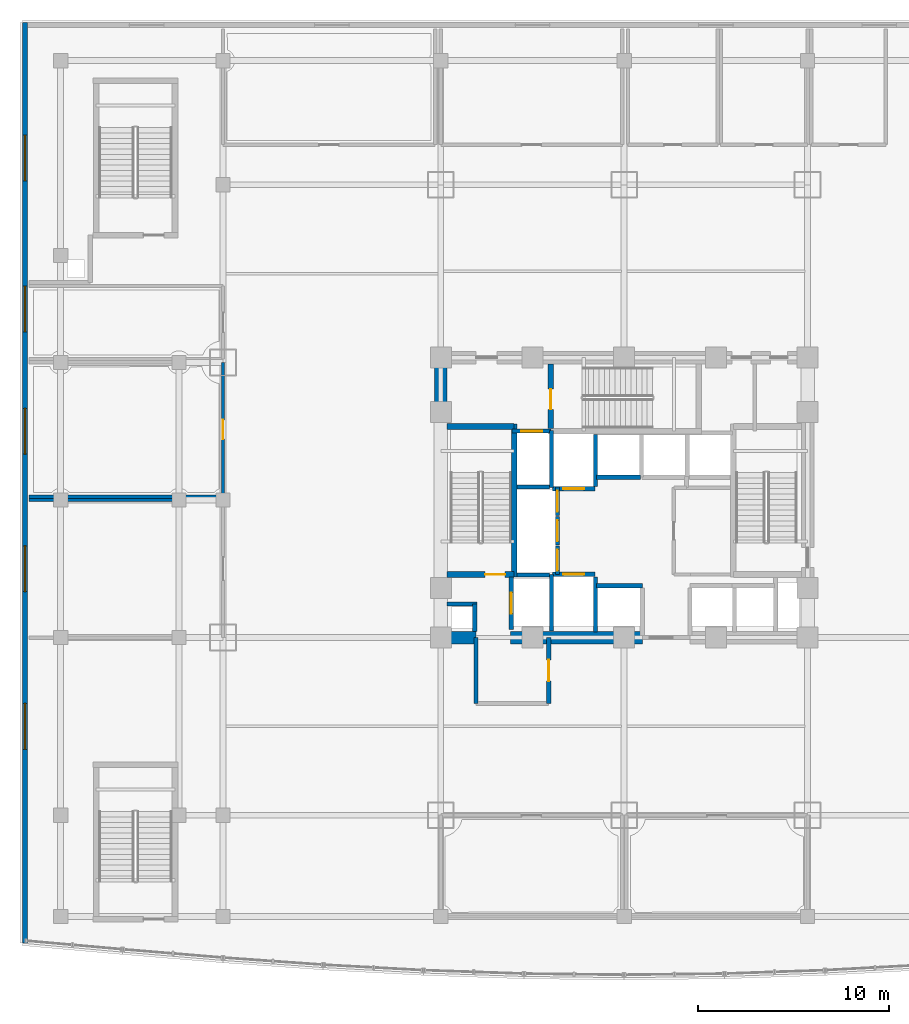
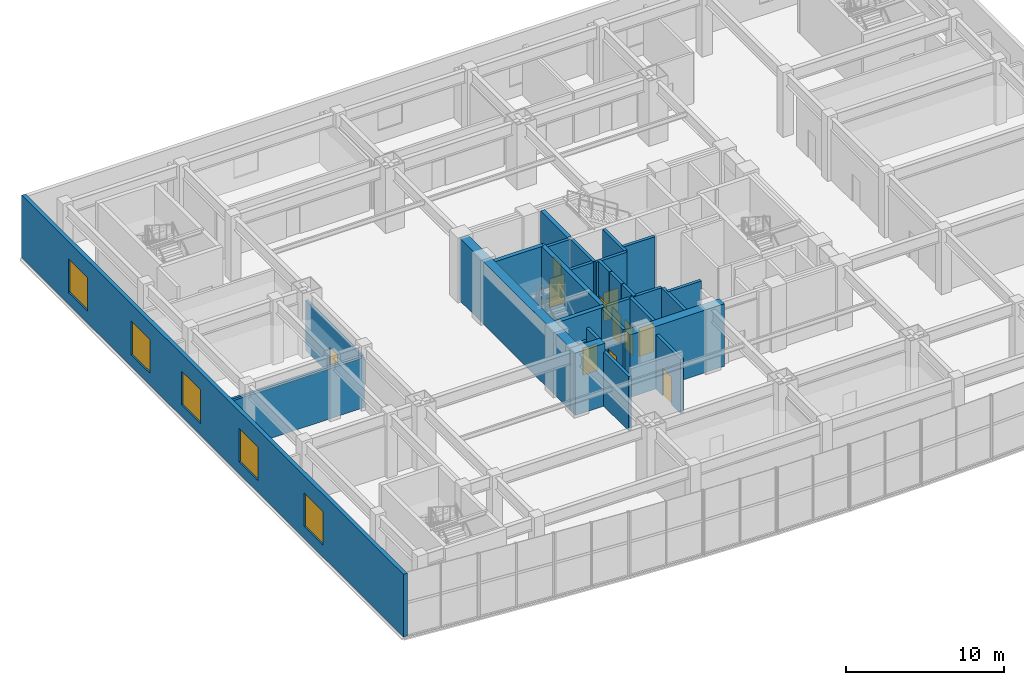
# One storey, part 12 of 24: 30 walls, 11 doors, 5 windows, 16 openings.
"""IFC4 building model written with IfcOpenShell, lengths in metres."""

import ifcopenshell
import ifcopenshell.guid

model = None  # the IFC model being written
_history = None  # IfcOwnerHistory: only IFC2X3 demands one
_inside = {}  # id of a spatial element -> (the spatial element, [elements in it])
_under = {}  # id of a project, library or spatial element -> (it, [spatial elements below it])
_declared = {}  # id of a project -> (the project, [libraries it declares])
_typed = {}  # id of a type object -> (the type object, [elements of that type])
_made_of = {}  # id of a material, layer set ... -> (it, [elements and type objects made of it])


def new_model(schema):
    """Start an empty IFC model of exactly this schema.

    Asked for "IFC4X3", IfcOpenShell would pick the latest addendum, in which some entities
    have other attributes; the version numbers below select the first issue.
    IFC2X3 requires an IfcOwnerHistory on every rooted entity: one is made here for all.
    """
    global model, _history
    if schema == "IFC4X3":
        model = ifcopenshell.file(schema_version=(4, 3, 0, 0))
    else:
        model = ifcopenshell.file(schema=schema)
    _inside.clear()
    _under.clear()
    _declared.clear()
    _typed.clear()
    _made_of.clear()
    _history = None
    if model.schema == "IFC2X3":
        org = make("IfcOrganization", Name="unknown")
        user = make(
            "IfcPersonAndOrganization",
            ThePerson=make("IfcPerson", FamilyName="unknown"),
            TheOrganization=org,
        )
        app = make(
            "IfcApplication",
            ApplicationDeveloper=org,
            Version="unknown",
            ApplicationFullName="unknown",
            ApplicationIdentifier="unknown",
        )
        _history = make(
            "IfcOwnerHistory",
            OwningUser=user,
            OwningApplication=app,
            ChangeAction="ADDED",
            CreationDate=0,
        )
    return model


def make(cls, **values):
    """One entity of the class cls with the attributes given. An attribute that is None is left unset."""
    return model.create_entity(
        cls, **{name: value for name, value in values.items() if value is not None}
    )


def rooted(cls, **values):
    """An entity with a GlobalId (a new one), such as an element, a storey or a relation."""
    return make(cls, GlobalId=ifcopenshell.guid.new(), OwnerHistory=_history, **values)


def si_unit(unit_type, name, prefix=None):
    """IfcSIUnit, for example si_unit("LENGTHUNIT", "METRE", prefix="MILLI")."""
    return make("IfcSIUnit", UnitType=unit_type, Prefix=prefix, Name=name)


def assignment(units):
    """IfcUnitAssignment: the units of a project."""
    return None if units is None else make("IfcUnitAssignment", Units=units)


def point(xyz):
    """IfcCartesianPoint."""
    return None if xyz is None else make("IfcCartesianPoint", Coordinates=xyz)


def direction(xyz):
    """IfcDirection."""
    return None if xyz is None else make("IfcDirection", DirectionRatios=xyz)


def frame(location, z_axis=None, x_axis=None):
    """IfcAxis2Placement3D, a coordinate frame: its origin and axes. An axis left out is left unset."""
    return make(
        "IfcAxis2Placement3D",
        Location=point(location),
        Axis=direction(z_axis),
        RefDirection=direction(x_axis),
    )


def frame_2d(location, x_axis=None):
    """IfcAxis2Placement2D, a coordinate frame in the plane: its origin and x axis."""
    return make(
        "IfcAxis2Placement2D", Location=point(location), RefDirection=direction(x_axis)
    )


def origin():
    """The frame at (0, 0, 0) with its axes left unset."""
    return frame((0.0, 0.0, 0.0))


def place(relative_to, where):
    """IfcLocalPlacement: puts the frame where relative to a parent placement (None: the world)."""
    return make(
        "IfcLocalPlacement", PlacementRelTo=relative_to, RelativePlacement=where
    )


def context(
    kind, dimensions, precision=None, world=None, true_north=None, identifier=None
):
    """IfcGeometricRepresentationContext, for example the 3D "Model" context."""
    return make(
        "IfcGeometricRepresentationContext",
        ContextIdentifier=identifier,
        ContextType=kind,
        CoordinateSpaceDimension=dimensions,
        Precision=precision,
        WorldCoordinateSystem=world,
        TrueNorth=true_north,
    )


def subcontext(parent, identifier, kind, view, scale=None):
    """IfcGeometricRepresentationSubContext, for example "Body" below "Model"."""
    return make(
        "IfcGeometricRepresentationSubContext",
        ContextIdentifier=identifier,
        ContextType=kind,
        ParentContext=parent,
        TargetScale=scale,
        TargetView=view,
    )


def project(units=None, contexts=None):
    """IfcProject with its units and contexts."""
    return rooted(
        "IfcProject",
        Name="project",
        RepresentationContexts=contexts,
        UnitsInContext=assignment(units),
    )


def spatial(cls, under=None, at=None, **own):
    """A site, building, storey or space (cls), placed at a placement, below another one or the project."""
    s = rooted(cls, ObjectPlacement=at, **own)
    if under is not None:
        _under.setdefault(under.id(), (under, []))[1].append(s)
    return s


def profile(cls, at=None, kind="AREA", **sizes):
    """A parametric profile (cls). Its sizes go by their IFC names, for example OverallWidth=200.0."""
    return make(cls, ProfileType=kind, Position=at, **sizes)


def rectangle(**sizes):
    """IfcRectangleProfileDef."""
    return profile("IfcRectangleProfileDef", **sizes)


def extrude(swept, where, along, depth):
    """IfcExtrudedAreaSolid: the profile swept, set in the frame where, extruded along a direction by depth."""
    return make(
        "IfcExtrudedAreaSolid",
        SweptArea=swept,
        Position=where,
        ExtrudedDirection=direction(along),
        Depth=depth,
    )


def shape(context_of_items, identifier, shape_type, items):
    """IfcShapeRepresentation: the items that make up one representation, for example the "Body"."""
    return make(
        "IfcShapeRepresentation",
        ContextOfItems=context_of_items,
        RepresentationIdentifier=identifier,
        RepresentationType=shape_type,
        Items=items,
    )


def material(Name=None, Category=None):
    """IfcMaterial."""
    return make("IfcMaterial", Name=Name, Category=Category)


def layer(
    of_material, thickness, ventilated=None, Name=None, Category=None, Priority=None
):
    """IfcMaterialLayer: one layer of a wall or slab, of a material (None: an air gap)."""
    return make(
        "IfcMaterialLayer",
        Material=of_material,
        LayerThickness=thickness,
        IsVentilated=ventilated,
        Name=Name,
        Category=Category,
        Priority=Priority,
    )


def layer_set(layers, Name=None):
    """IfcMaterialLayerSet."""
    return make("IfcMaterialLayerSet", MaterialLayers=layers, LayerSetName=Name)


def made_of(thing, what):
    """Note that an element or type object is made of a material, layer set ...; save() writes the relation."""
    if what is not None:
        _made_of.setdefault(what.id(), (what, []))[1].append(thing)
    return thing


def type_object(cls, material=None, **own):
    """A type object (cls), such as IfcWallType, which elements share."""
    return made_of(rooted(cls, **own), material)


def element(
    cls,
    number,
    at=None,
    inside=None,
    cuts=None,
    type_object=None,
    material=None,
    context=None,
    identifier="Body",
    shape_type=None,
    held_by="IfcProductDefinitionShape",
    body=None,
    shapes=None,
    **own,
):
    """One element of the class cls, such as IfcWall. Its Tag is "e" and its number.

    at: its placement. inside: the storey or other place that contains it. cuts: it is an
    opening in that element (IfcRelVoidsElement). A single representation is given by context,
    identifier, shape_type and body (its items); several are given by shapes. held_by: the class
    of the entity that holds the representations. save() writes the other relations.
    """
    e = rooted(cls, Tag="e%d" % number, ObjectPlacement=at, **own)
    if body is not None:
        shapes = [shape(context, identifier, shape_type, body)]
    if shapes is not None:
        e.Representation = make(held_by, Representations=shapes)
    if inside is not None:
        _inside.setdefault(inside.id(), (inside, []))[1].append(e)
    if cuts is not None:
        rooted(
            "IfcRelVoidsElement", RelatingBuildingElement=cuts, RelatedOpeningElement=e
        )
    if type_object is not None:
        _typed.setdefault(type_object.id(), (type_object, []))[1].append(e)
    return made_of(e, material)


def fill(opening, filler):
    """IfcRelFillsElement: the door or window that sits in an opening."""
    return rooted(
        "IfcRelFillsElement",
        RelatingOpeningElement=opening,
        RelatedBuildingElement=filler,
    )


def aggregate(whole, parts):
    """IfcRelAggregates: a whole, such as a stair, and the parts it consists of."""
    return rooted("IfcRelAggregates", RelatingObject=whole, RelatedObjects=parts)


def save(model, path):
    """Write the relations noted so far, then the file.

    IfcRelAggregates (storeys below a building ...), IfcRelContainedInSpatialStructure (elements
    in a storey), IfcRelDefinesByType, IfcRelAssociatesMaterial and IfcRelDeclares: one each for
    every whole, place, type object, material and project.
    """
    for whole, parts in _under.values():
        aggregate(whole, parts)
    for where, things in _inside.values():
        rooted(
            "IfcRelContainedInSpatialStructure",
            RelatedElements=things,
            RelatingStructure=where,
        )
    for kind, things in _typed.values():
        rooted("IfcRelDefinesByType", RelatedObjects=things, RelatingType=kind)
    for what, things in _made_of.values():
        rooted("IfcRelAssociatesMaterial", RelatedObjects=things, RelatingMaterial=what)
    for by, libraries in _declared.values():
        rooted("IfcRelDeclares", RelatingContext=by, RelatedDefinitions=libraries)
    model.write(path)


model = new_model("IFC4")

# Units and contexts
model_context = context("Model", 3, precision=1e-05, world=origin(), true_north=direction((0.0, 1.0)))
body_context = subcontext(model_context, "Body", "Model", "MODEL_VIEW")
ifc_project = project(units=[si_unit("LENGTHUNIT", "METRE"), si_unit("AREAUNIT", "SQUARE_METRE"), si_unit("VOLUMEUNIT", "CUBIC_METRE"), si_unit("PLANEANGLEUNIT", "RADIAN"), si_unit("MASSUNIT", "GRAM", prefix="KILO")], contexts=[model_context])

# Site, building, storey
site_placement = place(None, origin())
site = spatial("IfcSite", under=ifc_project, at=site_placement, CompositionType="ELEMENT")
building_placement = place(site_placement, origin())
building = spatial("IfcBuilding", under=site, at=building_placement, Name="Vantalir Tower", CompositionType="ELEMENT")
storey_placement = place(building_placement, frame((0.0, 0.0, 11.0)))
storey = spatial("IfcBuildingStorey", under=building, at=storey_placement, Name="L02", CompositionType="ELEMENT", Elevation=11.0)

# Walls
ifc_material_1 = material(Name="Concrete C60/75", Category="concrete")
ifc_layer_1 = layer(ifc_material_1, 0.64990234375)
ifc_layer_set_1 = layer_set([ifc_layer_1], Name="Concrete C60/75")
wall_type_1 = type_object("IfcWallType", Name="WL-CORE-650", PredefinedType="SHEAR", material=ifc_layer_set_1)
wall_1_placement = place(storey_placement, frame((21.574951171875, 17.800048828125, 0.0), z_axis=(0.0, 0.0, 1.0), x_axis=(1.0, 0.0, 0.0)))
element("IfcWall", 1, at=wall_1_placement, inside=storey, type_object=wall_type_1, Name="Floor 2 Core Shear Wall South-West", PredefinedType="SHEAR", context=body_context, shape_type="SweptSolid", body=[
    extrude(rectangle(XDim=2.175048828125, YDim=0.64990234375, at=frame_2d((1.08740234375, 0.0))), origin(), (0.0, 0.0, 1.0), 4.820068359375),
])
wall_2_placement = place(storey_placement, frame((25.550048828125, 17.800048828125, 0.0), z_axis=(0.0, 0.0, 1.0), x_axis=(1.0, 0.0, 0.0)))
element("IfcWall", 2, at=wall_2_placement, inside=storey, type_object=wall_type_1, Name="Floor 2 Core Shear Wall South-Mid", PredefinedType="SHEAR", context=body_context, shape_type="SweptSolid", body=[
    extrude(rectangle(XDim=6.89990234375, YDim=0.64990234375, at=frame_2d((3.449951171875, 0.0))), origin(), (0.0, 0.0, 1.0), 4.820068359375),
])
wall_3_placement = place(storey_placement, frame((21.89990234375, 18.125, 0.0), z_axis=(0.0, 0.0, 1.0), x_axis=(0.0, 1.0, 0.0)))
element("IfcWall", 3, at=wall_3_placement, inside=storey, type_object=wall_type_1, Name="Floor 2 Core Shear Wall West", PredefinedType="SHEAR", context=body_context, shape_type="SweptSolid", body=[
    extrude(rectangle(XDim=14.0, YDim=0.64990234375, at=frame_2d((7.0, 0.0))), origin(), (0.0, 0.0, 1.0), 4.820068359375),
])

# Wall, openings, windows
ifc_material_2 = material(Name="Precast concrete C40/50 with insulated PVDF rainscreen", Category="concrete")
ifc_layer_2 = layer(ifc_material_2, 0.280029296875)
ifc_layer_set_2 = layer_set([ifc_layer_2], Name="Precast concrete C40/50 with insulated PVDF rainscreen")
wall_type_2 = type_object("IfcWallType", Name="WL-EXT-POD-280", PredefinedType="SOLIDWALL", material=ifc_layer_set_2)
wall_4_placement = place(storey_placement, frame((0.139892578125, 50.0, 0.0), z_axis=(0.0, 0.0, 1.0), x_axis=(0.0, -1.0, 0.0)))
wall_4 = element("IfcWall", 4, at=wall_4_placement, inside=storey, type_object=wall_type_2, Name="Level 02 Podium West Precast Facade Wall", PredefinedType="SOLIDWALL", context=body_context, shape_type="SweptSolid", body=[
    extrude(rectangle(XDim=48.199951171875, YDim=0.280029296875, at=frame_2d((24.10009765625, 0.0))), origin(), (0.0, 0.0, 1.0), 4.820068359375),
])
opening_1_placement = place(wall_4_placement, frame((35.64990234375, 0.0, 0.89990234375)))
opening_1 = element("IfcOpeningElement", 5, at=opening_1_placement, cuts=wall_4, Name="Opening WN-1", PredefinedType="OPENING", context=body_context, shape_type="SweptSolid", body=[
    extrude(rectangle(XDim=2.39990234375, YDim=2.60009765625, at=frame_2d((1.199951171875, 1.300048828125))), frame((0.0, 0.14990234375, 0.0), z_axis=(0.0, -1.0, 0.0), x_axis=(1.0, 0.0, 0.0)), (0.0, 0.0, 1.0), 0.300048828125),
])
opening_2_placement = place(wall_4_placement, frame((27.39990234375, 0.0, 0.89990234375)))
opening_2 = element("IfcOpeningElement", 6, at=opening_2_placement, cuts=wall_4, Name="Opening WN-1", PredefinedType="OPENING", context=body_context, shape_type="SweptSolid", body=[
    extrude(rectangle(XDim=2.39990234375, YDim=2.60009765625, at=frame_2d((1.199951171875, 1.300048828125))), frame((0.0, 0.14990234375, 0.0), z_axis=(0.0, -1.0, 0.0), x_axis=(1.0, 0.0, 0.0)), (0.0, 0.0, 1.0), 0.300048828125),
])
opening_3_placement = place(wall_4_placement, frame((20.199951171875, 0.0, 0.89990234375)))
opening_3 = element("IfcOpeningElement", 7, at=opening_3_placement, cuts=wall_4, Name="Opening WN-1", PredefinedType="OPENING", context=body_context, shape_type="SweptSolid", body=[
    extrude(rectangle(XDim=2.39990234375, YDim=2.60009765625, at=frame_2d((1.199951171875, 1.300048828125))), frame((0.0, 0.14990234375, 0.0), z_axis=(0.0, -1.0, 0.0), x_axis=(1.0, 0.0, 0.0)), (0.0, 0.0, 1.0), 0.300048828125),
])
opening_4_placement = place(wall_4_placement, frame((13.800048828125, 0.0, 0.89990234375)))
opening_4 = element("IfcOpeningElement", 8, at=opening_4_placement, cuts=wall_4, Name="Opening WN-1", PredefinedType="OPENING", context=body_context, shape_type="SweptSolid", body=[
    extrude(rectangle(XDim=2.39990234375, YDim=2.60009765625, at=frame_2d((1.199951171875, 1.300048828125))), frame((0.0, 0.14990234375, 0.0), z_axis=(0.0, -1.0, 0.0), x_axis=(1.0, 0.0, 0.0)), (0.0, 0.0, 1.0), 0.300048828125),
])
opening_5_placement = place(wall_4_placement, frame((5.89990234375, 0.0, 0.89990234375)))
opening_5 = element("IfcOpeningElement", 9, at=opening_5_placement, cuts=wall_4, Name="Opening WN-1", PredefinedType="OPENING", context=body_context, shape_type="SweptSolid", body=[
    extrude(rectangle(XDim=2.39990234375, YDim=2.60009765625, at=frame_2d((1.199951171875, 1.300048828125))), frame((0.0, 0.14990234375, 0.0), z_axis=(0.0, -1.0, 0.0), x_axis=(1.0, 0.0, 0.0)), (0.0, 0.0, 1.0), 0.300048828125),
])
ifc_material_3 = material(Name="Double-silver Low-E thermally broken window", Category="glass")
window_type = type_object("IfcWindowType", Name="WIN-POD-2400x2600", PartitioningType="SINGLE_PANEL", PredefinedType="WINDOW", material=ifc_material_3)
window_1_placement = place(opening_1_placement, origin())
window_1 = element("IfcWindow", 10, at=window_1_placement, inside=storey, type_object=window_type, Name="Level 02 West Podium Window W01", OverallHeight=2.60009765625, OverallWidth=2.39990234375, PartitioningType="SINGLE_PANEL", PredefinedType="WINDOW", context=body_context, shape_type="SweptSolid", body=[
    extrude(rectangle(XDim=2.39990234375, YDim=2.60009765625, at=frame_2d((1.199951171875, 1.300048828125))), frame((0.0, 0.030029296875, 0.0), z_axis=(0.0, -1.0, 0.0), x_axis=(1.0, 0.0, 0.0)), (0.0, 0.0, 1.0), 0.06005859375),
])
fill(opening_1, window_1)
window_2_placement = place(opening_2_placement, origin())
window_2 = element("IfcWindow", 11, at=window_2_placement, inside=storey, type_object=window_type, Name="Level 02 West Podium Window W02", OverallHeight=2.60009765625, OverallWidth=2.39990234375, PartitioningType="SINGLE_PANEL", PredefinedType="WINDOW", context=body_context, shape_type="SweptSolid", body=[
    extrude(rectangle(XDim=2.39990234375, YDim=2.60009765625, at=frame_2d((1.199951171875, 1.300048828125))), frame((0.0, 0.030029296875, 0.0), z_axis=(0.0, -1.0, 0.0), x_axis=(1.0, 0.0, 0.0)), (0.0, 0.0, 1.0), 0.06005859375),
])
fill(opening_2, window_2)
window_3_placement = place(opening_3_placement, origin())
window_3 = element("IfcWindow", 12, at=window_3_placement, inside=storey, type_object=window_type, Name="Level 02 West Podium Window W03", OverallHeight=2.60009765625, OverallWidth=2.39990234375, PartitioningType="SINGLE_PANEL", PredefinedType="WINDOW", context=body_context, shape_type="SweptSolid", body=[
    extrude(rectangle(XDim=2.39990234375, YDim=2.60009765625, at=frame_2d((1.199951171875, 1.300048828125))), frame((0.0, 0.030029296875, 0.0), z_axis=(0.0, -1.0, 0.0), x_axis=(1.0, 0.0, 0.0)), (0.0, 0.0, 1.0), 0.06005859375),
])
fill(opening_3, window_3)
window_4_placement = place(opening_4_placement, origin())
window_4 = element("IfcWindow", 13, at=window_4_placement, inside=storey, type_object=window_type, Name="Level 02 West Podium Window W04", OverallHeight=2.60009765625, OverallWidth=2.39990234375, PartitioningType="SINGLE_PANEL", PredefinedType="WINDOW", context=body_context, shape_type="SweptSolid", body=[
    extrude(rectangle(XDim=2.39990234375, YDim=2.60009765625, at=frame_2d((1.199951171875, 1.300048828125))), frame((0.0, 0.030029296875, 0.0), z_axis=(0.0, -1.0, 0.0), x_axis=(1.0, 0.0, 0.0)), (0.0, 0.0, 1.0), 0.06005859375),
])
fill(opening_4, window_4)
window_5_placement = place(opening_5_placement, origin())
window_5 = element("IfcWindow", 14, at=window_5_placement, inside=storey, type_object=window_type, Name="Level 02 West Podium Window W05", OverallHeight=2.60009765625, OverallWidth=2.39990234375, PartitioningType="SINGLE_PANEL", PredefinedType="WINDOW", context=body_context, shape_type="SweptSolid", body=[
    extrude(rectangle(XDim=2.39990234375, YDim=2.60009765625, at=frame_2d((1.199951171875, 1.300048828125))), frame((0.0, 0.030029296875, 0.0), z_axis=(0.0, -1.0, 0.0), x_axis=(1.0, 0.0, 0.0)), (0.0, 0.0, 1.0), 0.06005859375),
])
fill(opening_5, window_5)

# Walls
ifc_material_4 = material(Name="Concrete blockwork with fireboard lining", Category="masonry")
ifc_layer_3 = layer(ifc_material_4, 0.219970703125)
ifc_layer_set_3 = layer_set([ifc_layer_3], Name="Concrete blockwork with fireboard lining")
wall_type_3 = type_object("IfcWallType", Name="WL-FFL-220", PredefinedType="PARTITIONING", material=ifc_layer_set_3)
wall_5_placement = place(storey_placement, frame((30.0, 18.080078125, 0.0), z_axis=(0.0, 0.0, 1.0), x_axis=(0.0, 1.0, 0.0)))
element("IfcWall", 15, at=wall_5_placement, inside=storey, type_object=wall_type_3, Name="Level 02 Service Lift SV1 East Shaft Wall", PredefinedType="PARTITIONING", context=body_context, shape_type="SweptSolid", body=[
    extrude(rectangle(XDim=2.89990234375, YDim=0.219970703125, at=frame_2d((1.449951171875, 0.0))), origin(), (0.0, 0.0, 1.0), 4.794921875),
])
wall_6_placement = place(storey_placement, frame((30.0, 25.7099609375, 0.0), z_axis=(0.0, 0.0, 1.0), x_axis=(0.0, 1.0, 0.0)))
element("IfcWall", 16, at=wall_6_placement, inside=storey, type_object=wall_type_3, Name="Level 02 Service Lift SV2 East Shaft Wall", PredefinedType="PARTITIONING", context=body_context, shape_type="SweptSolid", body=[
    extrude(rectangle(XDim=2.72998046875, YDim=0.219970703125, at=frame_2d((1.364990234375, 0.0))), origin(), (0.0, 0.0, 1.0), 4.794921875),
])
wall_7_placement = place(storey_placement, frame((23.679931640625, 18.125, 0.0), z_axis=(0.0, 0.0, 1.0), x_axis=(0.0, 1.0, 0.0)))
element("IfcWall", 17, at=wall_7_placement, inside=storey, type_object=wall_type_3, Name="Floor 2 West MEP Riser Wall E", PredefinedType="PARTITIONING", context=body_context, shape_type="SweptSolid", body=[
    extrude(rectangle(XDim=1.425048828125, YDim=0.219970703125, at=frame_2d((0.71240234375, 0.0))), origin(), (0.0, 0.0, 1.0), 4.800048828125),
])
wall_8_placement = place(storey_placement, frame((22.22509765625, 19.550048828125, 0.0), z_axis=(0.0, 0.0, 1.0), x_axis=(1.0, 0.0, 0.0)))
element("IfcWall", 18, at=wall_8_placement, inside=storey, type_object=wall_type_3, Name="Floor 2 West MEP Riser Wall N", PredefinedType="PARTITIONING", context=body_context, shape_type="SweptSolid", body=[
    extrude(rectangle(XDim=1.56494140625, YDim=0.219970703125, at=frame_2d((0.782470703125, 0.0))), origin(), (0.0, 0.0, 1.0), 3.844970703125),
])

# Wall, opening, door
wall_9_placement = place(storey_placement, frame((25.590087890625, 18.219970703125, 0.0), z_axis=(0.0, 0.0, 1.0), x_axis=(0.0, 1.0, 0.0)))
wall_9 = element("IfcWall", 19, at=wall_9_placement, inside=storey, type_object=wall_type_3, Name="Floor 2 Lift FL1 Shaft Front Wall", PredefinedType="PARTITIONING", context=body_context, shape_type="SweptSolid", body=[
    extrude(rectangle(XDim=2.760009765625, YDim=0.219970703125, at=frame_2d((1.3798828125, 0.0))), origin(), (0.0, 0.0, 1.0), 4.800048828125),
])
opening_6_placement = place(wall_9_placement, frame((0.830078125, 0.0, 0.0)))
opening_6 = element("IfcOpeningElement", 20, at=opening_6_placement, cuts=wall_9, Name="Opening LD-FL1", PredefinedType="OPENING", context=body_context, shape_type="SweptSolid", body=[
    extrude(rectangle(XDim=1.10009765625, YDim=2.199951171875, at=frame_2d((0.550048828125, 1.10009765625))), frame((0.0, 0.119873046875, 0.0), z_axis=(0.0, -1.0, 0.0), x_axis=(1.0, 0.0, 0.0)), (0.0, 0.0, 1.0), 0.239990234375),
])
ifc_material_5 = material(Name="Brushed stainless-steel sliding lift landing door", Category="steel")
door_type_1 = type_object("IfcDoorType", Name="DR-LIFT-LANDING-1100", OperationType="DOUBLE_DOOR_SLIDING", PredefinedType="DOOR", material=ifc_material_5)
door_1_placement = place(opening_6_placement, origin())
door_1 = element("IfcDoor", 21, at=door_1_placement, inside=storey, type_object=door_type_1, Name="Floor 2 Lift Landing Door FL1", OperationType="DOUBLE_DOOR_SLIDING", OverallHeight=2.199951171875, OverallWidth=1.10009765625, PredefinedType="DOOR", context=body_context, shape_type="SweptSolid", body=[
    extrude(rectangle(XDim=1.10009765625, YDim=2.199951171875, at=frame_2d((0.550048828125, 1.10009765625))), frame((0.0, 0.02490234375, 0.0), z_axis=(0.0, -1.0, 0.0), x_axis=(1.0, 0.0, 0.0)), (0.0, 0.0, 1.0), 0.050048828125),
])
fill(opening_6, door_1)

wall_10_placement = place(storey_placement, frame((25.639892578125, 28.610107421875, 0.0), z_axis=(0.0, 0.0, 1.0), x_axis=(1.0, 0.0, 0.0)))
wall_10 = element("IfcWall", 22, at=wall_10_placement, inside=storey, type_object=wall_type_3, Name="Floor 2 Lift FL2 Shaft Front Wall", PredefinedType="PARTITIONING", context=body_context, shape_type="SweptSolid", body=[
    extrude(rectangle(XDim=2.02001953125, YDim=0.219970703125, at=frame_2d((1.010009765625, 0.0))), origin(), (0.0, 0.0, 1.0), 4.800048828125),
])
opening_7_placement = place(wall_10_placement, frame((0.4599609375, 0.0, 0.0)))
opening_7 = element("IfcOpeningElement", 23, at=opening_7_placement, cuts=wall_10, Name="Opening LD-FL2", PredefinedType="OPENING", context=body_context, shape_type="SweptSolid", body=[
    extrude(rectangle(XDim=1.10009765625, YDim=2.199951171875, at=frame_2d((0.550048828125, 1.10009765625))), frame((0.0, 0.119873046875, 0.0), z_axis=(0.0, -1.0, 0.0), x_axis=(1.0, 0.0, 0.0)), (0.0, 0.0, 1.0), 0.239990234375),
])
door_2_placement = place(opening_7_placement, origin())
door_2 = element("IfcDoor", 24, at=door_2_placement, inside=storey, type_object=door_type_1, Name="Floor 2 Lift Landing Door FL2", OperationType="DOUBLE_DOOR_SLIDING", OverallHeight=2.199951171875, OverallWidth=1.10009765625, PredefinedType="DOOR", context=body_context, shape_type="SweptSolid", body=[
    extrude(rectangle(XDim=1.10009765625, YDim=2.199951171875, at=frame_2d((0.550048828125, 1.10009765625))), frame((0.0, 0.02490234375, 0.0), z_axis=(0.0, -1.0, 0.0), x_axis=(1.0, 0.0, 0.0)), (0.0, 0.0, 1.0), 0.050048828125),
])
fill(opening_7, door_2)

wall_11_placement = place(storey_placement, frame((27.739990234375, 21.110107421875, 0.0), z_axis=(0.0, 0.0, 1.0), x_axis=(1.0, 0.0, 0.0)))
wall_11 = element("IfcWall", 25, at=wall_11_placement, inside=storey, type_object=wall_type_3, Name="Floor 2 Lift SV1 Shaft Front Wall", PredefinedType="PARTITIONING", context=body_context, shape_type="SweptSolid", body=[
    extrude(rectangle(XDim=2.219970703125, YDim=0.219970703125, at=frame_2d((1.10986328125, 0.0))), origin(), (0.0, 0.0, 1.0), 4.800048828125),
])
opening_8_placement = place(wall_11_placement, frame((0.56005859375, 0.0, 0.0)))
opening_8 = element("IfcOpeningElement", 26, at=opening_8_placement, cuts=wall_11, Name="Opening LD-SV1", PredefinedType="OPENING", context=body_context, shape_type="SweptSolid", body=[
    extrude(rectangle(XDim=1.10009765625, YDim=2.199951171875, at=frame_2d((0.550048828125, 1.10009765625))), frame((0.0, 0.119873046875, 0.0), z_axis=(0.0, -1.0, 0.0), x_axis=(1.0, 0.0, 0.0)), (0.0, 0.0, 1.0), 0.239990234375),
])
door_3_placement = place(opening_8_placement, origin())
door_3 = element("IfcDoor", 27, at=door_3_placement, inside=storey, type_object=door_type_1, Name="Floor 2 Lift Landing Door SV1", OperationType="DOUBLE_DOOR_SLIDING", OverallHeight=2.199951171875, OverallWidth=1.10009765625, PredefinedType="DOOR", context=body_context, shape_type="SweptSolid", body=[
    extrude(rectangle(XDim=1.10009765625, YDim=2.199951171875, at=frame_2d((0.550048828125, 1.10009765625))), frame((0.0, 0.02490234375, 0.0), z_axis=(0.0, -1.0, 0.0), x_axis=(1.0, 0.0, 0.0)), (0.0, 0.0, 1.0), 0.050048828125),
])
fill(opening_8, door_3)

wall_12_placement = place(storey_placement, frame((27.739990234375, 25.590087890625, 0.0), z_axis=(0.0, 0.0, 1.0), x_axis=(1.0, 0.0, 0.0)))
wall_12 = element("IfcWall", 28, at=wall_12_placement, inside=storey, type_object=wall_type_3, Name="Floor 2 Lift SV2 Shaft Front Wall", PredefinedType="PARTITIONING", context=body_context, shape_type="SweptSolid", body=[
    extrude(rectangle(XDim=2.219970703125, YDim=0.219970703125, at=frame_2d((1.10986328125, 0.0))), origin(), (0.0, 0.0, 1.0), 4.800048828125),
])
opening_9_placement = place(wall_12_placement, frame((0.56005859375, 0.0, 0.0)))
opening_9 = element("IfcOpeningElement", 29, at=opening_9_placement, cuts=wall_12, Name="Opening LD-SV2", PredefinedType="OPENING", context=body_context, shape_type="SweptSolid", body=[
    extrude(rectangle(XDim=1.10009765625, YDim=2.199951171875, at=frame_2d((0.550048828125, 1.10009765625))), frame((0.0, 0.119873046875, 0.0), z_axis=(0.0, -1.0, 0.0), x_axis=(1.0, 0.0, 0.0)), (0.0, 0.0, 1.0), 0.239990234375),
])
door_4_placement = place(opening_9_placement, frame((1.10009765625, 0.0, 0.0), z_axis=(0.0, 0.0, 1.0), x_axis=(-1.0, 0.0, 0.0)))
door_4 = element("IfcDoor", 30, at=door_4_placement, inside=storey, type_object=door_type_1, Name="Floor 2 Lift Landing Door SV2", OperationType="DOUBLE_DOOR_SLIDING", OverallHeight=2.199951171875, OverallWidth=1.10009765625, PredefinedType="DOOR", context=body_context, shape_type="SweptSolid", body=[
    extrude(rectangle(XDim=1.10009765625, YDim=2.199951171875, at=frame_2d((0.550048828125, 1.10009765625))), frame((0.0, 0.02490234375, 0.0), z_axis=(0.0, -1.0, 0.0), x_axis=(1.0, 0.0, 0.0)), (0.0, 0.0, 1.0), 0.050048828125),
])
fill(opening_9, door_4)

# Walls
wall_13_placement = place(storey_placement, frame((30.0400390625, 20.510009765625, 0.0), z_axis=(0.0, 0.0, 1.0), x_axis=(1.0, 0.0, 0.0)))
element("IfcWall", 31, at=wall_13_placement, inside=storey, type_object=wall_type_3, Name="Floor 2 Lift PL-X1 Shaft Front Wall", PredefinedType="PARTITIONING", context=body_context, shape_type="SweptSolid", body=[
    extrude(rectangle(XDim=2.419921875, YDim=0.219970703125, at=frame_2d((1.2099609375, 0.0))), origin(), (0.0, 0.0, 1.0), 4.800048828125),
])
wall_14_placement = place(storey_placement, frame((30.0400390625, 26.18994140625, 0.0), z_axis=(0.0, 0.0, 1.0), x_axis=(1.0, 0.0, 0.0)))
element("IfcWall", 32, at=wall_14_placement, inside=storey, type_object=wall_type_3, Name="Floor 2 Lift PL-H1 Shaft Front Wall", PredefinedType="PARTITIONING", context=body_context, shape_type="SweptSolid", body=[
    extrude(rectangle(XDim=2.320068359375, YDim=0.219970703125, at=frame_2d((1.16015625, 0.0))), origin(), (0.0, 0.0, 1.0), 4.800048828125),
])

# Wall, opening, door
wall_15_placement = place(storey_placement, frame((28.010009765625, 21.10009765625, 0.0), z_axis=(0.0, 0.0, 1.0), x_axis=(0.0, 1.0, 0.0)))
wall_15 = element("IfcWall", 33, at=wall_15_placement, inside=storey, type_object=wall_type_3, Name="Floor 2 Lift PL-L1 Shaft Front Wall", PredefinedType="PARTITIONING", context=body_context, shape_type="SweptSolid", body=[
    extrude(rectangle(XDim=1.5, YDim=0.219970703125, at=frame_2d((0.75, 0.0))), origin(), (0.0, 0.0, 1.0), 4.800048828125),
])
opening_10_placement = place(wall_15_placement, frame((0.199951171875, 0.0, 0.0)))
opening_10 = element("IfcOpeningElement", 34, at=opening_10_placement, cuts=wall_15, Name="Opening LD-PL-L1", PredefinedType="OPENING", context=body_context, shape_type="SweptSolid", body=[
    extrude(rectangle(XDim=1.10009765625, YDim=2.199951171875, at=frame_2d((0.550048828125, 1.10009765625))), frame((0.0, 0.119873046875, 0.0), z_axis=(0.0, -1.0, 0.0), x_axis=(1.0, 0.0, 0.0)), (0.0, 0.0, 1.0), 0.239990234375),
])
door_5_placement = place(opening_10_placement, frame((1.10009765625, 0.0, 0.0), z_axis=(0.0, 0.0, 1.0), x_axis=(-1.0, 0.0, 0.0)))
door_5 = element("IfcDoor", 35, at=door_5_placement, inside=storey, type_object=door_type_1, Name="Floor 2 Lift Landing Door PL-L1", OperationType="DOUBLE_DOOR_SLIDING", OverallHeight=2.199951171875, OverallWidth=1.10009765625, PredefinedType="DOOR", context=body_context, shape_type="SweptSolid", body=[
    extrude(rectangle(XDim=1.10009765625, YDim=2.199951171875, at=frame_2d((0.550048828125, 1.10009765625))), frame((0.0, 0.02490234375, 0.0), z_axis=(0.0, -1.0, 0.0), x_axis=(1.0, 0.0, 0.0)), (0.0, 0.0, 1.0), 0.050048828125),
])
fill(opening_10, door_5)

wall_16_placement = place(storey_placement, frame((28.010009765625, 22.639892578125, 0.0), z_axis=(0.0, 0.0, 1.0), x_axis=(0.0, 1.0, 0.0)))
wall_16 = element("IfcWall", 36, at=wall_16_placement, inside=storey, type_object=wall_type_3, Name="Floor 2 Lift PL-L2 Shaft Front Wall", PredefinedType="PARTITIONING", context=body_context, shape_type="SweptSolid", body=[
    extrude(rectangle(XDim=1.5, YDim=0.219970703125, at=frame_2d((0.75, 0.0))), origin(), (0.0, 0.0, 1.0), 4.800048828125),
])
opening_11_placement = place(wall_16_placement, frame((0.199951171875, 0.0, 0.0)))
opening_11 = element("IfcOpeningElement", 37, at=opening_11_placement, cuts=wall_16, Name="Opening LD-PL-L2", PredefinedType="OPENING", context=body_context, shape_type="SweptSolid", body=[
    extrude(rectangle(XDim=1.10009765625, YDim=2.199951171875, at=frame_2d((0.550048828125, 1.10009765625))), frame((0.0, 0.119873046875, 0.0), z_axis=(0.0, -1.0, 0.0), x_axis=(1.0, 0.0, 0.0)), (0.0, 0.0, 1.0), 0.239990234375),
])
door_6_placement = place(opening_11_placement, frame((1.10009765625, 0.0, 0.0), z_axis=(0.0, 0.0, 1.0), x_axis=(-1.0, 0.0, 0.0)))
door_6 = element("IfcDoor", 38, at=door_6_placement, inside=storey, type_object=door_type_1, Name="Floor 2 Lift Landing Door PL-L2", OperationType="DOUBLE_DOOR_SLIDING", OverallHeight=2.199951171875, OverallWidth=1.10009765625, PredefinedType="DOOR", context=body_context, shape_type="SweptSolid", body=[
    extrude(rectangle(XDim=1.10009765625, YDim=2.199951171875, at=frame_2d((0.550048828125, 1.10009765625))), frame((0.0, 0.02490234375, 0.0), z_axis=(0.0, -1.0, 0.0), x_axis=(1.0, 0.0, 0.0)), (0.0, 0.0, 1.0), 0.050048828125),
])
fill(opening_11, door_6)

wall_17_placement = place(storey_placement, frame((28.010009765625, 24.179931640625, 0.0), z_axis=(0.0, 0.0, 1.0), x_axis=(0.0, 1.0, 0.0)))
wall_17 = element("IfcWall", 39, at=wall_17_placement, inside=storey, type_object=wall_type_3, Name="Floor 2 Lift PL-L3 Shaft Front Wall", PredefinedType="PARTITIONING", context=body_context, shape_type="SweptSolid", body=[
    extrude(rectangle(XDim=1.5, YDim=0.219970703125, at=frame_2d((0.75, 0.0))), origin(), (0.0, 0.0, 1.0), 4.800048828125),
])
opening_12_placement = place(wall_17_placement, frame((0.199951171875, 0.0, 0.0)))
opening_12 = element("IfcOpeningElement", 40, at=opening_12_placement, cuts=wall_17, Name="Opening LD-PL-L3", PredefinedType="OPENING", context=body_context, shape_type="SweptSolid", body=[
    extrude(rectangle(XDim=1.10009765625, YDim=2.199951171875, at=frame_2d((0.550048828125, 1.10009765625))), frame((0.0, 0.119873046875, 0.0), z_axis=(0.0, -1.0, 0.0), x_axis=(1.0, 0.0, 0.0)), (0.0, 0.0, 1.0), 0.239990234375),
])
door_7_placement = place(opening_12_placement, frame((1.10009765625, 0.0, 0.0), z_axis=(0.0, 0.0, 1.0), x_axis=(-1.0, 0.0, 0.0)))
door_7 = element("IfcDoor", 41, at=door_7_placement, inside=storey, type_object=door_type_1, Name="Floor 2 Lift Landing Door PL-L3", OperationType="DOUBLE_DOOR_SLIDING", OverallHeight=2.199951171875, OverallWidth=1.10009765625, PredefinedType="DOOR", context=body_context, shape_type="SweptSolid", body=[
    extrude(rectangle(XDim=1.10009765625, YDim=2.199951171875, at=frame_2d((0.550048828125, 1.10009765625))), frame((0.0, 0.02490234375, 0.0), z_axis=(0.0, -1.0, 0.0), x_axis=(1.0, 0.0, 0.0)), (0.0, 0.0, 1.0), 0.050048828125),
])
fill(opening_12, door_7)

# Walls
wall_18_placement = place(storey_placement, frame((27.699951171875, 18.14990234375, 0.0), z_axis=(0.0, 0.0, 1.0), x_axis=(0.0, 1.0, 0.0)))
element("IfcWall", 42, at=wall_18_placement, inside=storey, type_object=wall_type_3, Name="Floor 2 Fire Lift FL1 Dividing Wall", PredefinedType="PARTITIONING", context=body_context, shape_type="SweptSolid", body=[
    extrude(rectangle(XDim=2.9501953125, YDim=0.219970703125, at=frame_2d((1.47509765625, 0.0))), origin(), (0.0, 0.0, 1.0), 4.800048828125),
])
wall_19_placement = place(storey_placement, frame((27.699951171875, 25.64990234375, 0.0), z_axis=(0.0, 0.0, 1.0), x_axis=(0.0, 1.0, 0.0)))
element("IfcWall", 43, at=wall_19_placement, inside=storey, type_object=wall_type_3, Name="Floor 2 Fire Lift FL2 Dividing Wall", PredefinedType="PARTITIONING", context=body_context, shape_type="SweptSolid", body=[
    extrude(rectangle(XDim=3.0, YDim=0.219970703125, at=frame_2d((1.5, 0.0))), origin(), (0.0, 0.0, 1.0), 4.800048828125),
])
for number, where, z_axis, x_axis, name in (
    (44, (25.8798828125, 21.080078125, 0.0), (0.0, 0.0, 1.0), (1.0, 0.0, 0.0), "Floor 2 Low-Rise Bank South Wall"),
    (45, (25.8798828125, 25.679931640625, 0.0), (0.0, 0.0, 1.0), (1.0, 0.0, 0.0), "Floor 2 Low-Rise Bank North Wall"),
):
    element("IfcWall", number, at=place(storey_placement, frame(where, z_axis=z_axis, x_axis=x_axis)), inside=storey, type_object=wall_type_3, Name=name, PredefinedType="PARTITIONING", context=body_context, shape_type="SweptSolid", body=[
        extrude(rectangle(XDim=1.7001953125, YDim=0.219970703125, at=frame_2d((0.85009765625, 0.0))), origin(), (0.0, 0.0, 1.0), 4.800048828125),
    ])
wall_20_placement = place(storey_placement, frame((23.75, 14.35009765625, 0.0), z_axis=(0.0, 0.0, 1.0), x_axis=(0.0, 1.0, 0.0)))
element("IfcWall", 46, at=wall_20_placement, inside=storey, type_object=wall_type_3, Name="Floor 2 Firefighting Lobby West Outer W", PredefinedType="PARTITIONING", context=body_context, shape_type="SweptSolid", body=[
    extrude(rectangle(XDim=3.449951171875, YDim=0.219970703125, at=frame_2d((1.72509765625, 0.0))), origin(), (0.0, 0.0, 1.0), 4.177978515625),
])

# Wall, opening, door
wall_21_placement = place(storey_placement, frame((27.550048828125, 14.35009765625, 0.0), z_axis=(0.0, 0.0, 1.0), x_axis=(0.0, 1.0, 0.0)))
wall_21 = element("IfcWall", 47, at=wall_21_placement, inside=storey, type_object=wall_type_3, Name="Floor 2 Firefighting Lobby West East Wall", PredefinedType="PARTITIONING", context=body_context, shape_type="SweptSolid", body=[
    extrude(rectangle(XDim=3.449951171875, YDim=0.219970703125, at=frame_2d((1.72509765625, 0.0))), origin(), (0.0, 0.0, 1.0), 4.177978515625),
])
opening_13_placement = place(wall_21_placement, frame((1.175048828125, 0.0, 0.0)))
opening_13 = element("IfcOpeningElement", 48, at=opening_13_placement, cuts=wall_21, Name="Opening D-FFL", PredefinedType="OPENING", context=body_context, shape_type="SweptSolid", body=[
    extrude(rectangle(XDim=1.10009765625, YDim=2.10009765625, at=frame_2d((0.550048828125, 1.050048828125))), frame((0.0, 0.119873046875, 0.0), z_axis=(0.0, -1.0, 0.0), x_axis=(1.0, 0.0, 0.0)), (0.0, 0.0, 1.0), 0.239990234375),
])
ifc_material_6 = material(Name="Fire-rated acoustic steel door", Category="steel")
door_type_2 = type_object("IfcDoorType", Name="DR-FIRE-LOBBY-1100", OperationType="NOTDEFINED", PredefinedType="DOOR", material=ifc_material_6)
door_8_placement = place(opening_13_placement, origin())
door_8 = element("IfcDoor", 49, at=door_8_placement, inside=storey, type_object=door_type_2, Name="Floor 2 Firefighting Lobby West Access Door", OperationType="SINGLE_SWING_LEFT", OverallHeight=2.10009765625, OverallWidth=1.10009765625, PredefinedType="DOOR", context=body_context, shape_type="SweptSolid", body=[
    extrude(rectangle(XDim=1.10009765625, YDim=2.10009765625, at=frame_2d((0.550048828125, 1.050048828125))), frame((0.0, 0.02490234375, 0.0), z_axis=(0.0, -1.0, 0.0), x_axis=(1.0, 0.0, 0.0)), (0.0, 0.0, 1.0), 0.050048828125),
])
fill(opening_13, door_8)

# Walls
ifc_material_7 = material(Name="Twin-stud acoustic fire-rated gypsum partition", Category="gypsum")
ifc_layer_4 = layer(ifc_material_7, 0.179931640625)
ifc_layer_set_4 = layer_set([ifc_layer_4], Name="Twin-stud acoustic fire-rated gypsum partition")
wall_type_4 = type_object("IfcWallType", Name="WL-GUEST-180", PredefinedType="PARTITIONING", material=ifc_layer_set_4)
for number, where, z_axis, x_axis, name in (
    (50, (0.35009765625, 25.0, 0.0), (0.0, 0.0, 1.0), (1.0, 0.0, 0.0), "Floor 2 Conference Hall A North Wall"),
    (51, (0.35009765625, 25.179931640625, 0.0), (0.0, 0.0, 1.0), (1.0, 0.0, 0.0), "Floor 2 Conference Room 1 South Wall"),
):
    element("IfcWall", number, at=place(storey_placement, frame(where, z_axis=z_axis, x_axis=x_axis)), inside=storey, type_object=wall_type_4, Name=name, PredefinedType="PARTITIONING", context=body_context, shape_type="SweptSolid", body=[
        extrude(rectangle(XDim=10.14990234375, YDim=0.179931640625, at=frame_2d((5.074951171875, 0.0))), origin(), (0.0, 0.0, 1.0), 3.867919921875),
    ])

# Wall, opening, door
wall_22_placement = place(storey_placement, frame((10.5, 25.179931640625, 0.0), z_axis=(0.0, 0.0, 1.0), x_axis=(0.0, 1.0, 0.0)))
wall_22 = element("IfcWall", 52, at=wall_22_placement, inside=storey, type_object=wall_type_4, Name="Floor 2 Conference Room 1 East Wall", PredefinedType="PARTITIONING", context=body_context, shape_type="SweptSolid", body=[
    extrude(rectangle(XDim=7.02001953125, YDim=0.179931640625, at=frame_2d((3.510009765625, 0.0))), origin(), (0.0, 0.0, 1.0), 3.867919921875),
])
opening_14_placement = place(wall_22_placement, frame((3.010009765625, 0.0, 0.0)))
opening_14 = element("IfcOpeningElement", 53, at=opening_14_placement, cuts=wall_22, Name="Opening D-GUEST", PredefinedType="OPENING", context=body_context, shape_type="SweptSolid", body=[
    extrude(rectangle(XDim=1.0, YDim=2.10009765625, at=frame_2d((0.5, 1.050048828125))), frame((0.0, 0.099853515625, 0.0), z_axis=(0.0, -1.0, 0.0), x_axis=(1.0, 0.0, 0.0)), (0.0, 0.0, 1.0), 0.199951171875),
])
ifc_material_8 = material(Name="Solid-core teak veneer acoustic fire door", Category="wood")
door_type_3 = type_object("IfcDoorType", Name="DR-GUEST-ENTRY-1000", OperationType="NOTDEFINED", PredefinedType="DOOR", material=ifc_material_8)
door_9_placement = place(opening_14_placement, origin())
door_9 = element("IfcDoor", 54, at=door_9_placement, inside=storey, type_object=door_type_3, Name="Floor 2 Conference Room 1 Door", OperationType="SINGLE_SWING_LEFT", OverallHeight=2.10009765625, OverallWidth=1.0, PredefinedType="DOOR", context=body_context, shape_type="SweptSolid", body=[
    extrude(rectangle(XDim=1.0, YDim=2.10009765625, at=frame_2d((0.5, 1.050048828125))), frame((0.0, 0.02490234375, 0.0), z_axis=(0.0, -1.0, 0.0), x_axis=(1.0, 0.0, 0.0)), (0.0, 0.0, 1.0), 0.050048828125),
])
fill(opening_14, door_9)

ifc_material_9 = material(Name="Concrete C50/60", Category="concrete")
ifc_layer_5 = layer(ifc_material_9, 0.300048828125)
ifc_layer_set_5 = layer_set([ifc_layer_5], Name="Concrete C50/60")
wall_type_5 = type_object("IfcWallType", Name="WL-STAIR-300", PredefinedType="SHEAR", material=ifc_layer_set_5)
wall_23_placement = place(storey_placement, frame((22.22509765625, 21.10009765625, 0.0), z_axis=(0.0, 0.0, 1.0), x_axis=(1.0, 0.0, 0.0)))
wall_23 = element("IfcWall", 55, at=wall_23_placement, inside=storey, type_object=wall_type_5, Name="Floor 2 Stair ST1 South Wall", PredefinedType="SHEAR", context=body_context, shape_type="SweptSolid", body=[
    extrude(rectangle(XDim=3.514892578125, YDim=0.300048828125, at=frame_2d((1.75732421875, 0.0))), origin(), (0.0, 0.0, 1.0), 4.820068359375),
])
opening_15_placement = place(wall_23_placement, frame((1.9951171875, 0.0, 0.0)))
opening_15 = element("IfcOpeningElement", 56, at=opening_15_placement, cuts=wall_23, Name="Opening D-ST", PredefinedType="OPENING", context=body_context, shape_type="SweptSolid", body=[
    extrude(rectangle(XDim=1.050048828125, YDim=2.10009765625, at=frame_2d((0.52490234375, 1.050048828125))), frame((0.0, 0.159912109375, 0.0), z_axis=(0.0, -1.0, 0.0), x_axis=(1.0, 0.0, 0.0)), (0.0, 0.0, 1.0), 0.320068359375),
])
ifc_material_10 = material(Name="Fire-rated steel door leaf", Category="steel")
door_type_4 = type_object("IfcDoorType", Name="DR-FIRE-STAIR-1050", OperationType="NOTDEFINED", PredefinedType="DOOR", material=ifc_material_10)
door_10_placement = place(opening_15_placement, origin())
door_10 = element("IfcDoor", 57, at=door_10_placement, inside=storey, type_object=door_type_4, Name="Floor 2 Exit Stair ST1 Fire Door", OperationType="SINGLE_SWING_LEFT", OverallHeight=2.10009765625, OverallWidth=1.050048828125, PredefinedType="DOOR", context=body_context, shape_type="SweptSolid", body=[
    extrude(rectangle(XDim=1.050048828125, YDim=2.10009765625, at=frame_2d((0.52490234375, 1.050048828125))), frame((0.0, 0.02490234375, 0.0), z_axis=(0.0, -1.0, 0.0), x_axis=(1.0, 0.0, 0.0)), (0.0, 0.0, 1.0), 0.050048828125),
])
fill(opening_15, door_10)

# Walls
wall_24_placement = place(storey_placement, frame((22.22509765625, 28.85009765625, 0.0), z_axis=(0.0, 0.0, 1.0), x_axis=(1.0, 0.0, 0.0)))
element("IfcWall", 58, at=wall_24_placement, inside=storey, type_object=wall_type_5, Name="Floor 2 Stair ST1 North Wall", PredefinedType="SHEAR", context=body_context, shape_type="SweptSolid", body=[
    extrude(rectangle(XDim=3.514892578125, YDim=0.300048828125, at=frame_2d((1.75732421875, 0.0))), origin(), (0.0, 0.0, 1.0), 4.820068359375),
])
wall_25_placement = place(storey_placement, frame((25.739990234375, 20.97998046875, 0.0), z_axis=(0.0, 0.0, 1.0), x_axis=(0.0, 1.0, 0.0)))
element("IfcWall", 59, at=wall_25_placement, inside=storey, type_object=wall_type_5, Name="Floor 2 Stair ST1 East Wall", PredefinedType="SHEAR", context=body_context, shape_type="SweptSolid", body=[
    extrude(rectangle(XDim=7.989990234375, YDim=0.300048828125, at=frame_2d((3.9951171875, 0.0))), origin(), (0.0, 0.0, 1.0), 4.820068359375),
])

# Wall, opening, door
wall_26_placement = place(storey_placement, frame((27.64990234375, 28.75, 0.0), z_axis=(0.0, 0.0, 1.0), x_axis=(0.0, 1.0, 0.0)))
wall_26 = element("IfcWall", 60, at=wall_26_placement, inside=storey, type_object=wall_type_5, Name="Floor 2 Stair ST3 West Wall", PredefinedType="SHEAR", context=body_context, shape_type="SweptSolid", body=[
    extrude(rectangle(XDim=3.375, YDim=0.300048828125, at=frame_2d((1.6875, 0.0))), origin(), (0.0, 0.0, 1.0), 4.820068359375),
])
opening_16_placement = place(wall_26_placement, frame((1.0, 0.0, 0.0)))
opening_16 = element("IfcOpeningElement", 61, at=opening_16_placement, cuts=wall_26, Name="Opening D-ST", PredefinedType="OPENING", context=body_context, shape_type="SweptSolid", body=[
    extrude(rectangle(XDim=1.050048828125, YDim=2.10009765625, at=frame_2d((0.52490234375, 1.050048828125))), frame((0.0, 0.159912109375, 0.0), z_axis=(0.0, -1.0, 0.0), x_axis=(1.0, 0.0, 0.0)), (0.0, 0.0, 1.0), 0.320068359375),
])
door_11_placement = place(opening_16_placement, frame((1.050048828125, 0.0, 0.0), z_axis=(0.0, 0.0, 1.0), x_axis=(-1.0, 0.0, 0.0)))
door_11 = element("IfcDoor", 62, at=door_11_placement, inside=storey, type_object=door_type_4, Name="Floor 2 Exit Stair ST3 Fire Door", OperationType="SINGLE_SWING_LEFT", OverallHeight=2.10009765625, OverallWidth=1.050048828125, PredefinedType="DOOR", context=body_context, shape_type="SweptSolid", body=[
    extrude(rectangle(XDim=1.050048828125, YDim=2.10009765625, at=frame_2d((0.52490234375, 1.050048828125))), frame((0.0, 0.02490234375, 0.0), z_axis=(0.0, -1.0, 0.0), x_axis=(1.0, 0.0, 0.0)), (0.0, 0.0, 1.0), 0.050048828125),
])
fill(opening_16, door_11)

save(model, "model.ifc")
